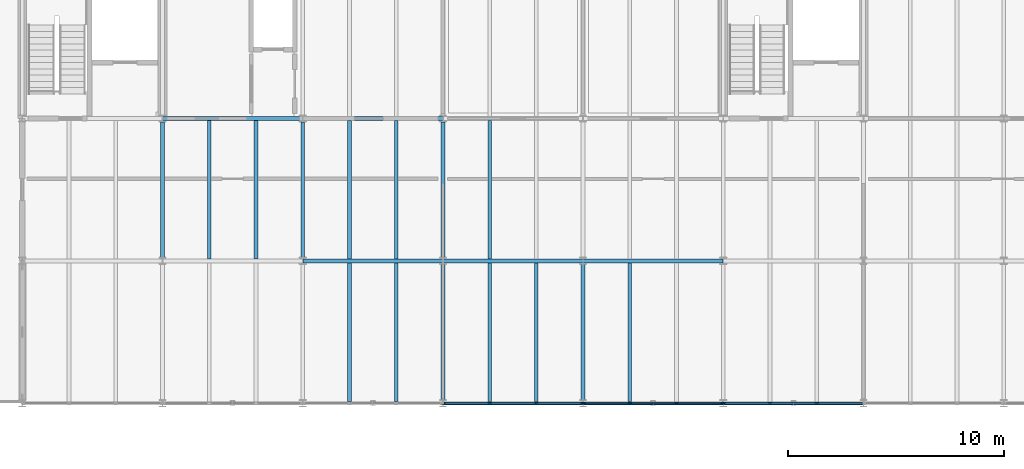
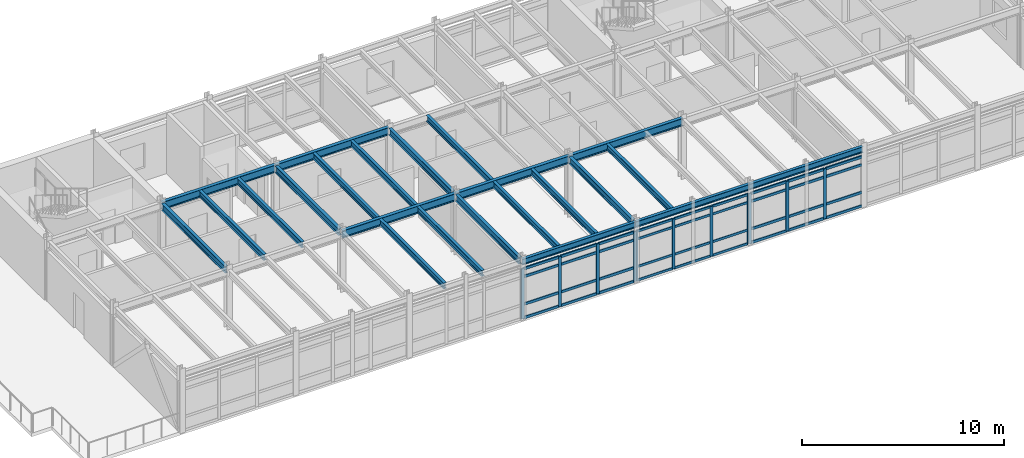
# One storey, part 20 of 57: 47 members, 23 beams, 3 elements without a shape of their own.
"""IFC4 building model written with IfcOpenShell, lengths in metres."""

from ifc_helpers import new_model, si_unit, direction, frame, origin, origin_2d, place, context, subcontext, project, spatial, rectangle, i_section, extrude, material, layer, layer_set, material_profile, profile_set, type_object, element, aggregate, save


model = new_model("IFC4")

# Units and contexts
model_context = context("Model", 3, precision=1e-05, world=origin(), true_north=direction((0.0, 1.0)))
body_context = subcontext(model_context, "Body", "Model", "MODEL_VIEW")
ifc_project = project(units=[si_unit("LENGTHUNIT", "METRE"), si_unit("AREAUNIT", "SQUARE_METRE"), si_unit("VOLUMEUNIT", "CUBIC_METRE"), si_unit("PLANEANGLEUNIT", "RADIAN"), si_unit("MASSUNIT", "GRAM", prefix="KILO")], contexts=[model_context])

# Site, building, storey
site_placement = place(None, origin())
site = spatial("IfcSite", under=ifc_project, at=site_placement, CompositionType="ELEMENT")
building_placement = place(site_placement, origin())
building = spatial("IfcBuilding", under=site, at=building_placement, Name="Trelmorton Wharf Fire Station", CompositionType="ELEMENT")
storey_placement = place(building_placement, frame((0.0, 0.0, 13.5)))
storey = spatial("IfcBuildingStorey", under=building, at=storey_placement, Name="L03", CompositionType="ELEMENT", Elevation=13.5)

# Beams
ifc_material_1 = material(Name="Steel Grade 350", Category="steel")
ifc_material_profile_1 = material_profile(ifc_material_1, i_section(OverallWidth=0.177978515625, OverallDepth=0.406005859375, WebThickness=0.0078125, FlangeThickness=0.0126953125, FilletRadius=0.011474609375, at=origin_2d()), Name="410UB59.7")
ifc_profile_set_1 = profile_set([ifc_material_profile_1], Name="Steel Grade 350")
beam_type_1 = type_object("IfcBeamType", Name="BM_410UB60", PredefinedType="BEAM", material=ifc_profile_set_1)
for number, where, z_axis, x_axis, name in (
    (1, (117.0, 14.553466796875, 3.427001953125), (0.0, 1.0, 0.0), (-1.0, 0.0, 0.0), "BM-L03-0990"),
    (2, (123.5, 14.553466796875, 3.427001953125), (0.0, 1.0, 0.0), (-1.0, 0.0, 0.0), "BM-L03-0996"),
    (3, (130.0, 7.95361328125, 3.427001953125), (0.0, 1.0, 0.0), (-1.0, 0.0, 0.0), "BM-L03-1001"),
    (4, (130.0, 14.553466796875, 3.427001953125), (0.0, 1.0, 0.0), (-1.0, 0.0, 0.0), "BM-L03-1002"),
    (5, (136.5, 7.95361328125, 3.427001953125), (0.0, 1.0, 0.0), (-1.0, 0.0, 0.0), "BM-L03-1007"),
):
    element("IfcBeam", number, at=place(storey_placement, frame(where, z_axis=z_axis, x_axis=x_axis)), inside=storey, type_object=beam_type_1, Name=name, PredefinedType="BEAM", context=body_context, shape_type="SweptSolid", body=[
        extrude(i_section(OverallWidth=0.177978515625, OverallDepth=0.406005859375, WebThickness=0.0078125, FlangeThickness=0.0126953125, FilletRadius=0.011474609375, at=origin_2d()), origin(), (0.0, 0.0, 1.0), 6.29296875),
    ])
ifc_material_profile_2 = material_profile(ifc_material_1, i_section(OverallWidth=0.18994140625, OverallDepth=0.45703125, WebThickness=0.009033203125, FlangeThickness=0.014404296875, FilletRadius=0.011474609375, at=origin_2d()), Name="460UB74.6")
ifc_profile_set_2 = profile_set([ifc_material_profile_2], Name="Steel Grade 350")
beam_type_2 = type_object("IfcBeamType", Name="BM_460UB75", PredefinedType="BEAM", material=ifc_profile_set_2)
for number, where, z_axis, x_axis, name in (
    (6, (123.50390625, 14.39990234375, 3.401611328125), (1.0, 0.0, 0.0), (0.0, 1.0, 0.0), "BM-L03-0887"),
    (7, (130.00390625, 14.39990234375, 3.401611328125), (1.0, 0.0, 0.0), (0.0, 1.0, 0.0), "BM-L03-0888"),
    (8, (136.50390625, 14.39990234375, 3.401611328125), (1.0, 0.0, 0.0), (0.0, 1.0, 0.0), "BM-L03-0889"),
    (9, (117.00390625, 21.0, 3.401611328125), (1.0, 0.0, 0.0), (0.0, 1.0, 0.0), "BM-L03-0898"),
    (10, (123.50390625, 21.0, 3.401611328125), (1.0, 0.0, 0.0), (0.0, 1.0, 0.0), "BM-L03-0899"),
):
    element("IfcBeam", number, at=place(storey_placement, frame(where, z_axis=z_axis, x_axis=x_axis)), inside=storey, type_object=beam_type_2, Name=name, PredefinedType="BEAM", context=body_context, shape_type="SweptSolid", body=[
        extrude(i_section(OverallWidth=0.18994140625, OverallDepth=0.45703125, WebThickness=0.009033203125, FlangeThickness=0.014404296875, FilletRadius=0.011474609375, at=origin_2d()), origin(), (0.0, 0.0, 1.0), 6.4921875),
    ])

# Curtain wall, members
ifc_material_2 = material(Name="Anodised aluminium AW-6063", Category="aluminium")
ifc_layer_1 = layer(ifc_material_2, 0.159912109375)
ifc_layer_set_1 = layer_set([ifc_layer_1], Name="Anodised aluminium AW-6063")
curtain_wall_type_1 = type_object("IfcCurtainWallType", Name="CW_CHIC_A", PredefinedType="USERDEFINED", material=ifc_layer_set_1)
curtain_wall_1_placement = place(storey_placement, origin())
curtain_wall_1 = element("IfcCurtainWall", 11, at=curtain_wall_1_placement, inside=storey, type_object=curtain_wall_type_1, Name="CW-V5-L03-065", ObjectType="CHICAGO BAY CURTAIN WALL", PredefinedType="USERDEFINED")
ifc_material_profile_3 = material_profile(ifc_material_2, rectangle(XDim=0.06494140625, YDim=0.159912109375, at=origin_2d()), Name="ALU-65x160")
ifc_profile_set_3 = profile_set([ifc_material_profile_3], Name="Anodised aluminium AW-6063")
member_type_1 = type_object("IfcMemberType", Name="CWM_65x160", PredefinedType="MULLION", material=ifc_profile_set_3)
member_1_placement = place(storey_placement, frame((142.965087890625, 7.800048828125, 0.0), z_axis=(0.0, 0.0, 1.0), x_axis=(0.0, -1.0, 0.0)))
member_1 = element("IfcMember", 12, at=member_1_placement, type_object=member_type_1, Name="CW1 mullion 1", PredefinedType="MULLION", context=body_context, shape_type="SweptSolid", body=[
    extrude(rectangle(XDim=0.06494140625, YDim=0.159912109375, at=origin_2d()), origin(), (0.0, 0.0, 1.0), 3.02001953125),
])
member_2_placement = place(storey_placement, frame((140.831787109375, 7.800048828125, 0.0), z_axis=(0.0, 0.0, 1.0), x_axis=(0.0, -1.0, 0.0)))
member_2 = element("IfcMember", 13, at=member_2_placement, type_object=member_type_1, Name="CW1 mullion 2", PredefinedType="MULLION", context=body_context, shape_type="SweptSolid", body=[
    extrude(rectangle(XDim=0.06494140625, YDim=0.159912109375, at=origin_2d()), origin(), (0.0, 0.0, 1.0), 3.02001953125),
])
member_3_placement = place(storey_placement, frame((138.668212890625, 7.800048828125, 0.0), z_axis=(0.0, 0.0, 1.0), x_axis=(0.0, -1.0, 0.0)))
member_3 = element("IfcMember", 14, at=member_3_placement, type_object=member_type_1, Name="CW1 mullion 3", PredefinedType="MULLION", context=body_context, shape_type="SweptSolid", body=[
    extrude(rectangle(XDim=0.06494140625, YDim=0.159912109375, at=origin_2d()), origin(), (0.0, 0.0, 1.0), 3.02001953125),
])
member_4_placement = place(storey_placement, frame((136.534912109375, 7.800048828125, 0.0), z_axis=(0.0, 0.0, 1.0), x_axis=(0.0, -1.0, 0.0)))
member_4 = element("IfcMember", 15, at=member_4_placement, type_object=member_type_1, Name="CW1 mullion 4", PredefinedType="MULLION", context=body_context, shape_type="SweptSolid", body=[
    extrude(rectangle(XDim=0.06494140625, YDim=0.159912109375, at=origin_2d()), origin(), (0.0, 0.0, 1.0), 3.02001953125),
])

ifc_layer_2 = layer(ifc_material_2, 0.175048828125)
ifc_layer_set_2 = layer_set([ifc_layer_2], Name="Anodised aluminium AW-6063")
curtain_wall_type_2 = type_object("IfcCurtainWallType", Name="CW_CHIC_B", PredefinedType="USERDEFINED", material=ifc_layer_set_2)
curtain_wall_2_placement = place(storey_placement, origin())
curtain_wall_2 = element("IfcCurtainWall", 16, at=curtain_wall_2_placement, inside=storey, type_object=curtain_wall_type_2, Name="CW-V5-L03-064", ObjectType="CHICAGO BAY CURTAIN WALL", PredefinedType="USERDEFINED")
ifc_material_profile_4 = material_profile(ifc_material_2, rectangle(XDim=0.074951171875, YDim=0.175048828125, at=origin_2d()), Name="ALU-75x175")
ifc_profile_set_4 = profile_set([ifc_material_profile_4], Name="Anodised aluminium AW-6063")
member_type_2 = type_object("IfcMemberType", Name="CWM_75x175", PredefinedType="MULLION", material=ifc_profile_set_4)
member_5_placement = place(storey_placement, frame((136.465087890625, 7.800048828125, 0.0), z_axis=(0.0, 0.0, 1.0), x_axis=(0.0, -1.0, 0.0)))
member_5 = element("IfcMember", 17, at=member_5_placement, type_object=member_type_2, Name="CW2 mullion 1", PredefinedType="MULLION", context=body_context, shape_type="SweptSolid", body=[
    extrude(rectangle(XDim=0.074951171875, YDim=0.175048828125, at=origin_2d()), origin(), (0.0, 0.0, 1.0), 3.02001953125),
])
member_6_placement = place(storey_placement, frame((134.331787109375, 7.800048828125, 0.0), z_axis=(0.0, 0.0, 1.0), x_axis=(0.0, -1.0, 0.0)))
member_6 = element("IfcMember", 18, at=member_6_placement, type_object=member_type_2, Name="CW2 mullion 2", PredefinedType="MULLION", context=body_context, shape_type="SweptSolid", body=[
    extrude(rectangle(XDim=0.074951171875, YDim=0.175048828125, at=origin_2d()), origin(), (0.0, 0.0, 1.0), 3.02001953125),
])
member_7_placement = place(storey_placement, frame((132.168212890625, 7.800048828125, 0.0), z_axis=(0.0, 0.0, 1.0), x_axis=(0.0, -1.0, 0.0)))
member_7 = element("IfcMember", 19, at=member_7_placement, type_object=member_type_2, Name="CW2 mullion 3", PredefinedType="MULLION", context=body_context, shape_type="SweptSolid", body=[
    extrude(rectangle(XDim=0.074951171875, YDim=0.175048828125, at=origin_2d()), origin(), (0.0, 0.0, 1.0), 3.02001953125),
])
member_8_placement = place(storey_placement, frame((130.034912109375, 7.800048828125, 0.0), z_axis=(0.0, 0.0, 1.0), x_axis=(0.0, -1.0, 0.0)))
member_8 = element("IfcMember", 20, at=member_8_placement, type_object=member_type_2, Name="CW2 mullion 4", PredefinedType="MULLION", context=body_context, shape_type="SweptSolid", body=[
    extrude(rectangle(XDim=0.074951171875, YDim=0.175048828125, at=origin_2d()), origin(), (0.0, 0.0, 1.0), 3.02001953125),
])

curtain_wall_3_placement = place(storey_placement, origin())
curtain_wall_3 = element("IfcCurtainWall", 21, at=curtain_wall_3_placement, inside=storey, type_object=curtain_wall_type_2, Name="CW-V5-L03-066", ObjectType="CHICAGO BAY CURTAIN WALL", PredefinedType="USERDEFINED")
member_9_placement = place(storey_placement, frame((147.331787109375, 7.800048828125, 0.0), z_axis=(0.0, 0.0, 1.0), x_axis=(0.0, -1.0, 0.0)))
member_9 = element("IfcMember", 22, at=member_9_placement, type_object=member_type_2, Name="CW2 mullion 2", PredefinedType="MULLION", context=body_context, shape_type="SweptSolid", body=[
    extrude(rectangle(XDim=0.074951171875, YDim=0.175048828125, at=origin_2d()), origin(), (0.0, 0.0, 1.0), 3.02001953125),
])
member_10_placement = place(storey_placement, frame((145.168212890625, 7.800048828125, 0.0), z_axis=(0.0, 0.0, 1.0), x_axis=(0.0, -1.0, 0.0)))
member_10 = element("IfcMember", 23, at=member_10_placement, type_object=member_type_2, Name="CW2 mullion 3", PredefinedType="MULLION", context=body_context, shape_type="SweptSolid", body=[
    extrude(rectangle(XDim=0.074951171875, YDim=0.175048828125, at=origin_2d()), origin(), (0.0, 0.0, 1.0), 3.02001953125),
])
member_11_placement = place(storey_placement, frame((143.034912109375, 7.800048828125, 0.0), z_axis=(0.0, 0.0, 1.0), x_axis=(0.0, -1.0, 0.0)))
member_11 = element("IfcMember", 24, at=member_11_placement, type_object=member_type_2, Name="CW2 mullion 4", PredefinedType="MULLION", context=body_context, shape_type="SweptSolid", body=[
    extrude(rectangle(XDim=0.074951171875, YDim=0.175048828125, at=origin_2d()), origin(), (0.0, 0.0, 1.0), 3.02001953125),
])

# Member
ifc_material_profile_5 = material_profile(ifc_material_2, rectangle(XDim=0.06494140625, YDim=0.139892578125, at=origin_2d()), Name="ALU-65x140")
ifc_profile_set_5 = profile_set([ifc_material_profile_5], Name="Anodised aluminium AW-6063")
member_type_3 = type_object("IfcMemberType", Name="CWT_65x140", PredefinedType="USERDEFINED", material=ifc_profile_set_5)
member_12_placement = place(storey_placement, frame((142.93505859375, 7.800048828125, 0.030029296875), z_axis=(-1.0, 0.0, 0.0), x_axis=(0.0, -1.0, 0.0)))
member_12 = element("IfcMember", 25, at=member_12_placement, type_object=member_type_3, Name="CW1 transom 1.1", ObjectType="TRANSOM", PredefinedType="USERDEFINED", context=body_context, shape_type="SweptSolid", body=[
    extrude(rectangle(XDim=0.06494140625, YDim=0.139892578125, at=origin_2d()), origin(), (0.0, 0.0, 1.0), 2.073486328125),
])

member_13_placement = place(storey_placement, frame((142.93505859375, 7.800048828125, 0.85009765625), z_axis=(-1.0, 0.0, 0.0), x_axis=(0.0, -1.0, 0.0)))
member_13 = element("IfcMember", 26, at=member_13_placement, type_object=member_type_3, Name="CW1 transom 1.2", ObjectType="TRANSOM", PredefinedType="USERDEFINED", context=body_context, shape_type="SweptSolid", body=[
    extrude(rectangle(XDim=0.06494140625, YDim=0.139892578125, at=origin_2d()), origin(), (0.0, 0.0, 1.0), 2.073486328125),
])

member_14_placement = place(storey_placement, frame((142.93505859375, 7.800048828125, 2.52001953125), z_axis=(-1.0, 0.0, 0.0), x_axis=(0.0, -1.0, 0.0)))
member_14 = element("IfcMember", 27, at=member_14_placement, type_object=member_type_3, Name="CW1 transom 1.3", ObjectType="TRANSOM", PredefinedType="USERDEFINED", context=body_context, shape_type="SweptSolid", body=[
    extrude(rectangle(XDim=0.06494140625, YDim=0.139892578125, at=origin_2d()), origin(), (0.0, 0.0, 1.0), 2.073486328125),
])

member_15_placement = place(storey_placement, frame((142.93505859375, 7.800048828125, 2.989990234375), z_axis=(-1.0, 0.0, 0.0), x_axis=(0.0, -1.0, 0.0)))
member_15 = element("IfcMember", 28, at=member_15_placement, type_object=member_type_3, Name="CW1 transom 1.4", ObjectType="TRANSOM", PredefinedType="USERDEFINED", context=body_context, shape_type="SweptSolid", body=[
    extrude(rectangle(XDim=0.06494140625, YDim=0.139892578125, at=origin_2d()), origin(), (0.0, 0.0, 1.0), 2.073486328125),
])

member_16_placement = place(storey_placement, frame((140.8017578125, 7.800048828125, 0.030029296875), z_axis=(-1.0, 0.0, 0.0), x_axis=(0.0, -1.0, 0.0)))
member_16 = element("IfcMember", 29, at=member_16_placement, type_object=member_type_3, Name="CW1 transom 2.1", ObjectType="TRANSOM", PredefinedType="USERDEFINED", context=body_context, shape_type="SweptSolid", body=[
    extrude(rectangle(XDim=0.06494140625, YDim=0.139892578125, at=origin_2d()), origin(), (0.0, 0.0, 1.0), 2.103515625),
])

member_17_placement = place(storey_placement, frame((140.8017578125, 7.800048828125, 0.85009765625), z_axis=(-1.0, 0.0, 0.0), x_axis=(0.0, -1.0, 0.0)))
member_17 = element("IfcMember", 30, at=member_17_placement, type_object=member_type_3, Name="CW1 transom 2.2", ObjectType="TRANSOM", PredefinedType="USERDEFINED", context=body_context, shape_type="SweptSolid", body=[
    extrude(rectangle(XDim=0.06494140625, YDim=0.139892578125, at=origin_2d()), origin(), (0.0, 0.0, 1.0), 2.103515625),
])

member_18_placement = place(storey_placement, frame((140.8017578125, 7.800048828125, 2.52001953125), z_axis=(-1.0, 0.0, 0.0), x_axis=(0.0, -1.0, 0.0)))
member_18 = element("IfcMember", 31, at=member_18_placement, type_object=member_type_3, Name="CW1 transom 2.3", ObjectType="TRANSOM", PredefinedType="USERDEFINED", context=body_context, shape_type="SweptSolid", body=[
    extrude(rectangle(XDim=0.06494140625, YDim=0.139892578125, at=origin_2d()), origin(), (0.0, 0.0, 1.0), 2.103515625),
])

member_19_placement = place(storey_placement, frame((140.8017578125, 7.800048828125, 2.989990234375), z_axis=(-1.0, 0.0, 0.0), x_axis=(0.0, -1.0, 0.0)))
member_19 = element("IfcMember", 32, at=member_19_placement, type_object=member_type_3, Name="CW1 transom 2.4", ObjectType="TRANSOM", PredefinedType="USERDEFINED", context=body_context, shape_type="SweptSolid", body=[
    extrude(rectangle(XDim=0.06494140625, YDim=0.139892578125, at=origin_2d()), origin(), (0.0, 0.0, 1.0), 2.103515625),
])

member_20_placement = place(storey_placement, frame((138.638427734375, 7.800048828125, 0.030029296875), z_axis=(-1.0, 0.0, 0.0), x_axis=(0.0, -1.0, 0.0)))
member_20 = element("IfcMember", 33, at=member_20_placement, type_object=member_type_3, Name="CW1 transom 3.1", ObjectType="TRANSOM", PredefinedType="USERDEFINED", context=body_context, shape_type="SweptSolid", body=[
    extrude(rectangle(XDim=0.06494140625, YDim=0.139892578125, at=origin_2d()), origin(), (0.0, 0.0, 1.0), 2.073486328125),
])

member_21_placement = place(storey_placement, frame((138.638427734375, 7.800048828125, 0.85009765625), z_axis=(-1.0, 0.0, 0.0), x_axis=(0.0, -1.0, 0.0)))
member_21 = element("IfcMember", 34, at=member_21_placement, type_object=member_type_3, Name="CW1 transom 3.2", ObjectType="TRANSOM", PredefinedType="USERDEFINED", context=body_context, shape_type="SweptSolid", body=[
    extrude(rectangle(XDim=0.06494140625, YDim=0.139892578125, at=origin_2d()), origin(), (0.0, 0.0, 1.0), 2.073486328125),
])

member_22_placement = place(storey_placement, frame((138.638427734375, 7.800048828125, 2.52001953125), z_axis=(-1.0, 0.0, 0.0), x_axis=(0.0, -1.0, 0.0)))
member_22 = element("IfcMember", 35, at=member_22_placement, type_object=member_type_3, Name="CW1 transom 3.3", ObjectType="TRANSOM", PredefinedType="USERDEFINED", context=body_context, shape_type="SweptSolid", body=[
    extrude(rectangle(XDim=0.06494140625, YDim=0.139892578125, at=origin_2d()), origin(), (0.0, 0.0, 1.0), 2.073486328125),
])

member_23_placement = place(storey_placement, frame((138.638427734375, 7.800048828125, 2.989990234375), z_axis=(-1.0, 0.0, 0.0), x_axis=(0.0, -1.0, 0.0)))
member_23 = element("IfcMember", 36, at=member_23_placement, type_object=member_type_3, Name="CW1 transom 3.4", ObjectType="TRANSOM", PredefinedType="USERDEFINED", context=body_context, shape_type="SweptSolid", body=[
    extrude(rectangle(XDim=0.06494140625, YDim=0.139892578125, at=origin_2d()), origin(), (0.0, 0.0, 1.0), 2.073486328125),
])

aggregate(curtain_wall_1, [member_1, member_2, member_3, member_4, member_12, member_13, member_14, member_15, member_16, member_17, member_18, member_19, member_20, member_21, member_22, member_23])

ifc_material_profile_6 = material_profile(ifc_material_2, rectangle(XDim=0.074951171875, YDim=0.155029296875, at=origin_2d()), Name="ALU-75x155")
ifc_profile_set_6 = profile_set([ifc_material_profile_6], Name="Anodised aluminium AW-6063")
member_type_4 = type_object("IfcMemberType", Name="CWT_75x155", PredefinedType="USERDEFINED", material=ifc_profile_set_6)
member_24_placement = place(storey_placement, frame((136.43505859375, 7.800048828125, 0.030029296875), z_axis=(-1.0, 0.0, 0.0), x_axis=(0.0, -1.0, 0.0)))
member_24 = element("IfcMember", 37, at=member_24_placement, type_object=member_type_4, Name="CW2 transom 1.1", ObjectType="TRANSOM", PredefinedType="USERDEFINED", context=body_context, shape_type="SweptSolid", body=[
    extrude(rectangle(XDim=0.074951171875, YDim=0.155029296875, at=origin_2d()), origin(), (0.0, 0.0, 1.0), 2.073486328125),
])

member_25_placement = place(storey_placement, frame((136.43505859375, 7.800048828125, 0.85009765625), z_axis=(-1.0, 0.0, 0.0), x_axis=(0.0, -1.0, 0.0)))
member_25 = element("IfcMember", 38, at=member_25_placement, type_object=member_type_4, Name="CW2 transom 1.2", ObjectType="TRANSOM", PredefinedType="USERDEFINED", context=body_context, shape_type="SweptSolid", body=[
    extrude(rectangle(XDim=0.074951171875, YDim=0.155029296875, at=origin_2d()), origin(), (0.0, 0.0, 1.0), 2.073486328125),
])

member_26_placement = place(storey_placement, frame((136.43505859375, 7.800048828125, 2.52001953125), z_axis=(-1.0, 0.0, 0.0), x_axis=(0.0, -1.0, 0.0)))
member_26 = element("IfcMember", 39, at=member_26_placement, type_object=member_type_4, Name="CW2 transom 1.3", ObjectType="TRANSOM", PredefinedType="USERDEFINED", context=body_context, shape_type="SweptSolid", body=[
    extrude(rectangle(XDim=0.074951171875, YDim=0.155029296875, at=origin_2d()), origin(), (0.0, 0.0, 1.0), 2.073486328125),
])

member_27_placement = place(storey_placement, frame((136.43505859375, 7.800048828125, 2.989990234375), z_axis=(-1.0, 0.0, 0.0), x_axis=(0.0, -1.0, 0.0)))
member_27 = element("IfcMember", 40, at=member_27_placement, type_object=member_type_4, Name="CW2 transom 1.4", ObjectType="TRANSOM", PredefinedType="USERDEFINED", context=body_context, shape_type="SweptSolid", body=[
    extrude(rectangle(XDim=0.074951171875, YDim=0.155029296875, at=origin_2d()), origin(), (0.0, 0.0, 1.0), 2.073486328125),
])

member_28_placement = place(storey_placement, frame((134.3017578125, 7.800048828125, 0.030029296875), z_axis=(-1.0, 0.0, 0.0), x_axis=(0.0, -1.0, 0.0)))
member_28 = element("IfcMember", 41, at=member_28_placement, type_object=member_type_4, Name="CW2 transom 2.1", ObjectType="TRANSOM", PredefinedType="USERDEFINED", context=body_context, shape_type="SweptSolid", body=[
    extrude(rectangle(XDim=0.074951171875, YDim=0.155029296875, at=origin_2d()), origin(), (0.0, 0.0, 1.0), 2.103515625),
])

member_29_placement = place(storey_placement, frame((134.3017578125, 7.800048828125, 0.85009765625), z_axis=(-1.0, 0.0, 0.0), x_axis=(0.0, -1.0, 0.0)))
member_29 = element("IfcMember", 42, at=member_29_placement, type_object=member_type_4, Name="CW2 transom 2.2", ObjectType="TRANSOM", PredefinedType="USERDEFINED", context=body_context, shape_type="SweptSolid", body=[
    extrude(rectangle(XDim=0.074951171875, YDim=0.155029296875, at=origin_2d()), origin(), (0.0, 0.0, 1.0), 2.103515625),
])

member_30_placement = place(storey_placement, frame((134.3017578125, 7.800048828125, 2.52001953125), z_axis=(-1.0, 0.0, 0.0), x_axis=(0.0, -1.0, 0.0)))
member_30 = element("IfcMember", 43, at=member_30_placement, type_object=member_type_4, Name="CW2 transom 2.3", ObjectType="TRANSOM", PredefinedType="USERDEFINED", context=body_context, shape_type="SweptSolid", body=[
    extrude(rectangle(XDim=0.074951171875, YDim=0.155029296875, at=origin_2d()), origin(), (0.0, 0.0, 1.0), 2.103515625),
])

member_31_placement = place(storey_placement, frame((134.3017578125, 7.800048828125, 2.989990234375), z_axis=(-1.0, 0.0, 0.0), x_axis=(0.0, -1.0, 0.0)))
member_31 = element("IfcMember", 44, at=member_31_placement, type_object=member_type_4, Name="CW2 transom 2.4", ObjectType="TRANSOM", PredefinedType="USERDEFINED", context=body_context, shape_type="SweptSolid", body=[
    extrude(rectangle(XDim=0.074951171875, YDim=0.155029296875, at=origin_2d()), origin(), (0.0, 0.0, 1.0), 2.103515625),
])

member_32_placement = place(storey_placement, frame((132.138427734375, 7.800048828125, 0.030029296875), z_axis=(-1.0, 0.0, 0.0), x_axis=(0.0, -1.0, 0.0)))
member_32 = element("IfcMember", 45, at=member_32_placement, type_object=member_type_4, Name="CW2 transom 3.1", ObjectType="TRANSOM", PredefinedType="USERDEFINED", context=body_context, shape_type="SweptSolid", body=[
    extrude(rectangle(XDim=0.074951171875, YDim=0.155029296875, at=origin_2d()), origin(), (0.0, 0.0, 1.0), 2.073486328125),
])

member_33_placement = place(storey_placement, frame((132.138427734375, 7.800048828125, 0.85009765625), z_axis=(-1.0, 0.0, 0.0), x_axis=(0.0, -1.0, 0.0)))
member_33 = element("IfcMember", 46, at=member_33_placement, type_object=member_type_4, Name="CW2 transom 3.2", ObjectType="TRANSOM", PredefinedType="USERDEFINED", context=body_context, shape_type="SweptSolid", body=[
    extrude(rectangle(XDim=0.074951171875, YDim=0.155029296875, at=origin_2d()), origin(), (0.0, 0.0, 1.0), 2.073486328125),
])

member_34_placement = place(storey_placement, frame((132.138427734375, 7.800048828125, 2.52001953125), z_axis=(-1.0, 0.0, 0.0), x_axis=(0.0, -1.0, 0.0)))
member_34 = element("IfcMember", 47, at=member_34_placement, type_object=member_type_4, Name="CW2 transom 3.3", ObjectType="TRANSOM", PredefinedType="USERDEFINED", context=body_context, shape_type="SweptSolid", body=[
    extrude(rectangle(XDim=0.074951171875, YDim=0.155029296875, at=origin_2d()), origin(), (0.0, 0.0, 1.0), 2.073486328125),
])

member_35_placement = place(storey_placement, frame((132.138427734375, 7.800048828125, 2.989990234375), z_axis=(-1.0, 0.0, 0.0), x_axis=(0.0, -1.0, 0.0)))
member_35 = element("IfcMember", 48, at=member_35_placement, type_object=member_type_4, Name="CW2 transom 3.4", ObjectType="TRANSOM", PredefinedType="USERDEFINED", context=body_context, shape_type="SweptSolid", body=[
    extrude(rectangle(XDim=0.074951171875, YDim=0.155029296875, at=origin_2d()), origin(), (0.0, 0.0, 1.0), 2.073486328125),
])

aggregate(curtain_wall_2, [member_5, member_6, member_7, member_8, member_24, member_25, member_26, member_27, member_28, member_29, member_30, member_31, member_32, member_33, member_34, member_35])

member_36_placement = place(storey_placement, frame((149.43505859375, 7.800048828125, 0.030029296875), z_axis=(-1.0, 0.0, 0.0), x_axis=(0.0, -1.0, 0.0)))
member_36 = element("IfcMember", 49, at=member_36_placement, type_object=member_type_4, Name="CW2 transom 1.1", ObjectType="TRANSOM", PredefinedType="USERDEFINED", context=body_context, shape_type="SweptSolid", body=[
    extrude(rectangle(XDim=0.074951171875, YDim=0.155029296875, at=origin_2d()), origin(), (0.0, 0.0, 1.0), 2.073486328125),
])

member_37_placement = place(storey_placement, frame((149.43505859375, 7.800048828125, 0.85009765625), z_axis=(-1.0, 0.0, 0.0), x_axis=(0.0, -1.0, 0.0)))
member_37 = element("IfcMember", 50, at=member_37_placement, type_object=member_type_4, Name="CW2 transom 1.2", ObjectType="TRANSOM", PredefinedType="USERDEFINED", context=body_context, shape_type="SweptSolid", body=[
    extrude(rectangle(XDim=0.074951171875, YDim=0.155029296875, at=origin_2d()), origin(), (0.0, 0.0, 1.0), 2.073486328125),
])

member_38_placement = place(storey_placement, frame((149.43505859375, 7.800048828125, 2.52001953125), z_axis=(-1.0, 0.0, 0.0), x_axis=(0.0, -1.0, 0.0)))
member_38 = element("IfcMember", 51, at=member_38_placement, type_object=member_type_4, Name="CW2 transom 1.3", ObjectType="TRANSOM", PredefinedType="USERDEFINED", context=body_context, shape_type="SweptSolid", body=[
    extrude(rectangle(XDim=0.074951171875, YDim=0.155029296875, at=origin_2d()), origin(), (0.0, 0.0, 1.0), 2.073486328125),
])

member_39_placement = place(storey_placement, frame((149.43505859375, 7.800048828125, 2.989990234375), z_axis=(-1.0, 0.0, 0.0), x_axis=(0.0, -1.0, 0.0)))
member_39 = element("IfcMember", 52, at=member_39_placement, type_object=member_type_4, Name="CW2 transom 1.4", ObjectType="TRANSOM", PredefinedType="USERDEFINED", context=body_context, shape_type="SweptSolid", body=[
    extrude(rectangle(XDim=0.074951171875, YDim=0.155029296875, at=origin_2d()), origin(), (0.0, 0.0, 1.0), 2.073486328125),
])

member_40_placement = place(storey_placement, frame((147.3017578125, 7.800048828125, 0.030029296875), z_axis=(-1.0, 0.0, 0.0), x_axis=(0.0, -1.0, 0.0)))
member_40 = element("IfcMember", 53, at=member_40_placement, type_object=member_type_4, Name="CW2 transom 2.1", ObjectType="TRANSOM", PredefinedType="USERDEFINED", context=body_context, shape_type="SweptSolid", body=[
    extrude(rectangle(XDim=0.074951171875, YDim=0.155029296875, at=origin_2d()), origin(), (0.0, 0.0, 1.0), 2.103515625),
])

member_41_placement = place(storey_placement, frame((147.3017578125, 7.800048828125, 0.85009765625), z_axis=(-1.0, 0.0, 0.0), x_axis=(0.0, -1.0, 0.0)))
member_41 = element("IfcMember", 54, at=member_41_placement, type_object=member_type_4, Name="CW2 transom 2.2", ObjectType="TRANSOM", PredefinedType="USERDEFINED", context=body_context, shape_type="SweptSolid", body=[
    extrude(rectangle(XDim=0.074951171875, YDim=0.155029296875, at=origin_2d()), origin(), (0.0, 0.0, 1.0), 2.103515625),
])

member_42_placement = place(storey_placement, frame((147.3017578125, 7.800048828125, 2.52001953125), z_axis=(-1.0, 0.0, 0.0), x_axis=(0.0, -1.0, 0.0)))
member_42 = element("IfcMember", 55, at=member_42_placement, type_object=member_type_4, Name="CW2 transom 2.3", ObjectType="TRANSOM", PredefinedType="USERDEFINED", context=body_context, shape_type="SweptSolid", body=[
    extrude(rectangle(XDim=0.074951171875, YDim=0.155029296875, at=origin_2d()), origin(), (0.0, 0.0, 1.0), 2.103515625),
])

member_43_placement = place(storey_placement, frame((147.3017578125, 7.800048828125, 2.989990234375), z_axis=(-1.0, 0.0, 0.0), x_axis=(0.0, -1.0, 0.0)))
member_43 = element("IfcMember", 56, at=member_43_placement, type_object=member_type_4, Name="CW2 transom 2.4", ObjectType="TRANSOM", PredefinedType="USERDEFINED", context=body_context, shape_type="SweptSolid", body=[
    extrude(rectangle(XDim=0.074951171875, YDim=0.155029296875, at=origin_2d()), origin(), (0.0, 0.0, 1.0), 2.103515625),
])

member_44_placement = place(storey_placement, frame((145.138427734375, 7.800048828125, 0.030029296875), z_axis=(-1.0, 0.0, 0.0), x_axis=(0.0, -1.0, 0.0)))
member_44 = element("IfcMember", 57, at=member_44_placement, type_object=member_type_4, Name="CW2 transom 3.1", ObjectType="TRANSOM", PredefinedType="USERDEFINED", context=body_context, shape_type="SweptSolid", body=[
    extrude(rectangle(XDim=0.074951171875, YDim=0.155029296875, at=origin_2d()), origin(), (0.0, 0.0, 1.0), 2.073486328125),
])

member_45_placement = place(storey_placement, frame((145.138427734375, 7.800048828125, 0.85009765625), z_axis=(-1.0, 0.0, 0.0), x_axis=(0.0, -1.0, 0.0)))
member_45 = element("IfcMember", 58, at=member_45_placement, type_object=member_type_4, Name="CW2 transom 3.2", ObjectType="TRANSOM", PredefinedType="USERDEFINED", context=body_context, shape_type="SweptSolid", body=[
    extrude(rectangle(XDim=0.074951171875, YDim=0.155029296875, at=origin_2d()), origin(), (0.0, 0.0, 1.0), 2.073486328125),
])

member_46_placement = place(storey_placement, frame((145.138427734375, 7.800048828125, 2.52001953125), z_axis=(-1.0, 0.0, 0.0), x_axis=(0.0, -1.0, 0.0)))
member_46 = element("IfcMember", 59, at=member_46_placement, type_object=member_type_4, Name="CW2 transom 3.3", ObjectType="TRANSOM", PredefinedType="USERDEFINED", context=body_context, shape_type="SweptSolid", body=[
    extrude(rectangle(XDim=0.074951171875, YDim=0.155029296875, at=origin_2d()), origin(), (0.0, 0.0, 1.0), 2.073486328125),
])

member_47_placement = place(storey_placement, frame((145.138427734375, 7.800048828125, 2.989990234375), z_axis=(-1.0, 0.0, 0.0), x_axis=(0.0, -1.0, 0.0)))
member_47 = element("IfcMember", 60, at=member_47_placement, type_object=member_type_4, Name="CW2 transom 3.4", ObjectType="TRANSOM", PredefinedType="USERDEFINED", context=body_context, shape_type="SweptSolid", body=[
    extrude(rectangle(XDim=0.074951171875, YDim=0.155029296875, at=origin_2d()), origin(), (0.0, 0.0, 1.0), 2.073486328125),
])

aggregate(curtain_wall_3, [member_9, member_10, member_11, member_36, member_37, member_38, member_39, member_40, member_41, member_42, member_43, member_44, member_45, member_46, member_47])

# Beams
ifc_material_profile_7 = material_profile(ifc_material_1, i_section(OverallWidth=0.172119140625, OverallDepth=0.35888671875, WebThickness=0.008056640625, FlangeThickness=0.012939453125, FilletRadius=0.011474609375, at=origin_2d()), Name="360UB56.7")
ifc_profile_set_7 = profile_set([ifc_material_profile_7], Name="Steel Grade 350")
beam_type_3 = type_object("IfcBeamType", Name="JS_360UB57", PredefinedType="JOIST", material=ifc_profile_set_7)
for number, where, z_axis, x_axis, name in (
    (61, (119.166748046875, 14.489990234375, 3.450439453125), (0.0, 1.0, 0.0), (-1.0, 0.0, 0.0), "JS-L03-0351"),
    (62, (121.333251953125, 14.489990234375, 3.450439453125), (0.0, 1.0, 0.0), (-1.0, 0.0, 0.0), "JS-L03-0352"),
):
    element("IfcBeam", number, at=place(storey_placement, frame(where, z_axis=z_axis, x_axis=x_axis)), inside=storey, type_object=beam_type_3, Name=name, PredefinedType="JOIST", context=body_context, shape_type="SweptSolid", body=[
        extrude(i_section(OverallWidth=0.172119140625, OverallDepth=0.35888671875, WebThickness=0.008056640625, FlangeThickness=0.012939453125, FilletRadius=0.011474609375, at=origin_2d()), origin(), (0.0, 0.0, 1.0), 6.419921875),
    ])
for number, where, z_axis, x_axis, name in (
    (63, (125.666748046875, 7.889892578125, 3.450439453125), (0.0, 1.0, 0.0), (-1.0, 0.0, 0.0), "JS-L03-0353"),
    (64, (127.833251953125, 7.889892578125, 3.450439453125), (0.0, 1.0, 0.0), (-1.0, 0.0, 0.0), "JS-L03-0354"),
):
    element("IfcBeam", number, at=place(storey_placement, frame(where, z_axis=z_axis, x_axis=x_axis)), inside=storey, type_object=beam_type_3, Name=name, PredefinedType="JOIST", context=body_context, shape_type="SweptSolid", body=[
        extrude(i_section(OverallWidth=0.172119140625, OverallDepth=0.35888671875, WebThickness=0.008056640625, FlangeThickness=0.012939453125, FilletRadius=0.011474609375, at=origin_2d()), origin(), (0.0, 0.0, 1.0), 6.420166015625),
    ])
for number, where, z_axis, x_axis, name in (
    (65, (125.666748046875, 14.489990234375, 3.450439453125), (0.0, 1.0, 0.0), (-1.0, 0.0, 0.0), "JS-L03-0355"),
    (66, (127.833251953125, 14.489990234375, 3.450439453125), (0.0, 1.0, 0.0), (-1.0, 0.0, 0.0), "JS-L03-0356"),
):
    element("IfcBeam", number, at=place(storey_placement, frame(where, z_axis=z_axis, x_axis=x_axis)), inside=storey, type_object=beam_type_3, Name=name, PredefinedType="JOIST", context=body_context, shape_type="SweptSolid", body=[
        extrude(i_section(OverallWidth=0.172119140625, OverallDepth=0.35888671875, WebThickness=0.008056640625, FlangeThickness=0.012939453125, FilletRadius=0.011474609375, at=origin_2d()), origin(), (0.0, 0.0, 1.0), 6.419921875),
    ])
for number, where, z_axis, x_axis, name in (
    (67, (132.166748046875, 7.889892578125, 3.450439453125), (0.0, 1.0, 0.0), (-1.0, 0.0, 0.0), "JS-L03-0359"),
    (68, (134.333251953125, 7.889892578125, 3.450439453125), (0.0, 1.0, 0.0), (-1.0, 0.0, 0.0), "JS-L03-0360"),
):
    element("IfcBeam", number, at=place(storey_placement, frame(where, z_axis=z_axis, x_axis=x_axis)), inside=storey, type_object=beam_type_3, Name=name, PredefinedType="JOIST", context=body_context, shape_type="SweptSolid", body=[
        extrude(i_section(OverallWidth=0.172119140625, OverallDepth=0.35888671875, WebThickness=0.008056640625, FlangeThickness=0.012939453125, FilletRadius=0.011474609375, at=origin_2d()), origin(), (0.0, 0.0, 1.0), 6.420166015625),
    ])
beam_1_placement = place(storey_placement, frame((132.166748046875, 14.489990234375, 3.450439453125), z_axis=(0.0, 1.0, 0.0), x_axis=(-1.0, 0.0, 0.0)))
element("IfcBeam", 69, at=beam_1_placement, inside=storey, type_object=beam_type_3, Name="JS-L03-0361", PredefinedType="JOIST", context=body_context, shape_type="SweptSolid", body=[
    extrude(i_section(OverallWidth=0.172119140625, OverallDepth=0.35888671875, WebThickness=0.008056640625, FlangeThickness=0.012939453125, FilletRadius=0.011474609375, at=origin_2d()), origin(), (0.0, 0.0, 1.0), 6.419921875),
])
beam_2_placement = place(storey_placement, frame((138.666748046875, 7.889892578125, 3.450439453125), z_axis=(0.0, 1.0, 0.0), x_axis=(-1.0, 0.0, 0.0)))
element("IfcBeam", 70, at=beam_2_placement, inside=storey, type_object=beam_type_3, Name="JS-L03-0365", PredefinedType="JOIST", context=body_context, shape_type="SweptSolid", body=[
    extrude(i_section(OverallWidth=0.172119140625, OverallDepth=0.35888671875, WebThickness=0.008056640625, FlangeThickness=0.012939453125, FilletRadius=0.011474609375, at=origin_2d()), origin(), (0.0, 0.0, 1.0), 6.420166015625),
])
ifc_material_profile_8 = material_profile(ifc_material_1, i_section(OverallWidth=0.1708984375, OverallDepth=0.35595703125, WebThickness=0.00732421875, FlangeThickness=0.011474609375, FilletRadius=0.011474609375, at=origin_2d()), Name="360UB50.7")
ifc_profile_set_8 = profile_set([ifc_material_profile_8], Name="Steel Grade 350")
beam_type_4 = type_object("IfcBeamType", Name="SP_360UB51", PredefinedType="SPANDREL", material=ifc_profile_set_8)
for number, where, z_axis, x_axis, name in (
    (71, (130.00390625, 7.800048828125, 3.451904296875), (1.0, 0.0, 0.0), (0.0, 1.0, 0.0), "BM-L03-0880"),
    (72, (136.50390625, 7.800048828125, 3.451904296875), (1.0, 0.0, 0.0), (0.0, 1.0, 0.0), "BM-L03-0881"),
    (73, (143.00390625, 7.800048828125, 3.451904296875), (1.0, 0.0, 0.0), (0.0, 1.0, 0.0), "BM-L03-0882"),
):
    element("IfcBeam", number, at=place(storey_placement, frame(where, z_axis=z_axis, x_axis=x_axis)), inside=storey, type_object=beam_type_4, Name=name, PredefinedType="SPANDREL", context=body_context, shape_type="SweptSolid", body=[
        extrude(i_section(OverallWidth=0.1708984375, OverallDepth=0.35595703125, WebThickness=0.00732421875, FlangeThickness=0.011474609375, FilletRadius=0.011474609375, at=origin_2d()), origin(), (0.0, 0.0, 1.0), 6.4921875),
    ])

save(model, "model.ifc")
